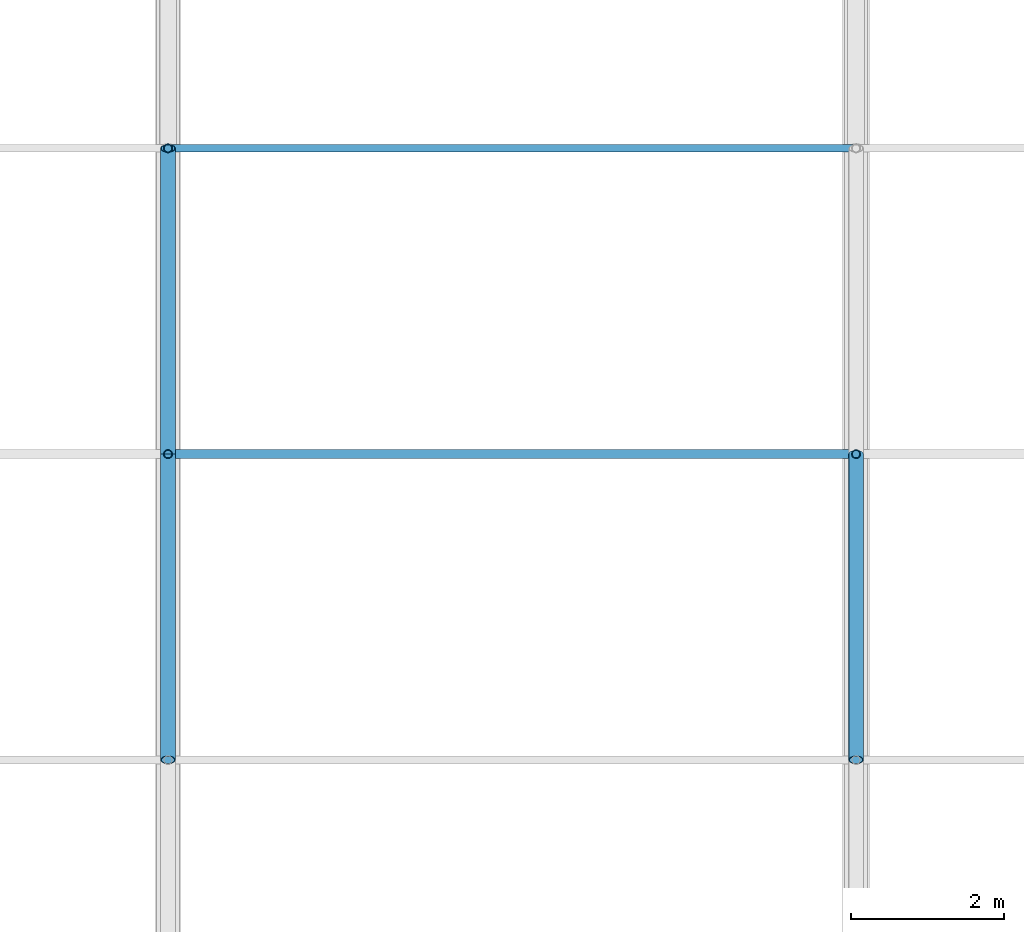
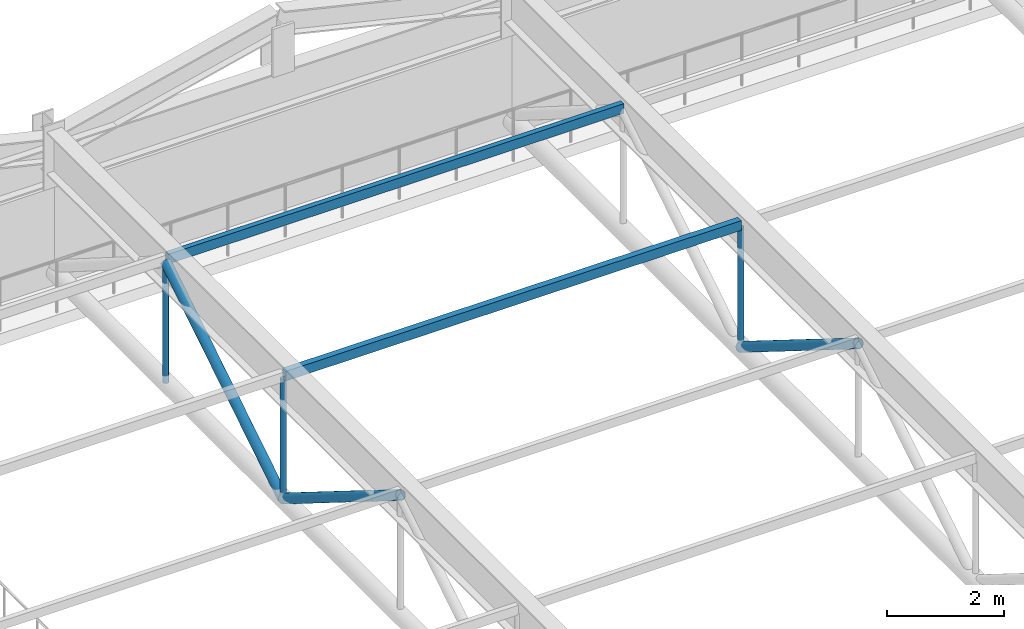
# One storey, part 35 of 91: 8 members.
"""IFC4 building model written with IfcOpenShell, lengths in metres."""

from ifc_helpers import new_model, si_unit, direction, frame, origin, origin_2d, place, context, subcontext, project, spatial, hollow_rectangle, hollow_circle, extrude, material, material_profile, profile_set, type_object, element, save


model = new_model("IFC4")

# Units and contexts
model_context = context("Model", 3, precision=1e-05, world=origin(), true_north=direction((0.0, 1.0)))
body_context = subcontext(model_context, "Body", "Model", "MODEL_VIEW")
ifc_project = project(units=[si_unit("LENGTHUNIT", "METRE"), si_unit("AREAUNIT", "SQUARE_METRE"), si_unit("VOLUMEUNIT", "CUBIC_METRE"), si_unit("PLANEANGLEUNIT", "RADIAN"), si_unit("MASSUNIT", "GRAM", prefix="KILO")], contexts=[model_context])

# Site, building, storey
site_placement = place(None, origin())
site = spatial("IfcSite", under=ifc_project, at=site_placement, CompositionType="ELEMENT")
building_placement = place(site_placement, origin())
building = spatial("IfcBuilding", under=site, at=building_placement, Name="Palais des Congres Ocreval", CompositionType="ELEMENT")
storey_placement = place(building_placement, frame((0.0, 0.0, 8.159912109375)))
storey = spatial("IfcBuildingStorey", under=building, at=storey_placement, Name="L02", CompositionType="ELEMENT", Elevation=8.159912109375)

# Members
ifc_material = material(Name="Steel S355", Category="steel")
ifc_material_profile_1 = material_profile(ifc_material, hollow_circle(Radius=0.096923828125, WallThickness=0.010009765625, at=origin_2d()), Name="CHS 193.7x10")
ifc_profile_set_1 = profile_set([ifc_material_profile_1], Name="Steel S355")
member_type_1 = type_object("IfcMemberType", Name="Diagonal Brace CHS 193.7x10 Steel S355", PredefinedType="BRACE", material=ifc_profile_set_1)
for number, where, z_axis, x_axis, name in (
    (1, (18.0, 102.0, 2.7900390625), (0.0, 0.847998304005, -0.529998940003), (-1.0, 0.0, 0.0), "ROOF TRUSS Diagonal V1-18-4"),
    (2, (18.0, 106.0, 0.2900390625), (0.0, 0.847998304005, 0.529998940003), (-1.0, 0.0, 0.0), "ROOF TRUSS Diagonal V1-18-5"),
    (3, (27.0, 102.0, 2.7900390625), (0.0, 0.847998304005, -0.529998940003), (-1.0, 0.0, 0.0), "ROOF TRUSS Diagonal V1-27-4"),
):
    element("IfcMember", number, at=place(storey_placement, frame(where, z_axis=z_axis, x_axis=x_axis)), inside=storey, type_object=member_type_1, Name=name, PredefinedType="BRACE", context=body_context, shape_type="SweptSolid", body=[
        extrude(hollow_circle(Radius=0.096923828125, WallThickness=0.010009765625, at=origin_2d()), origin(), (0.0, 0.0, 1.0), 4.717041015625),
    ])
ifc_material_profile_2 = material_profile(ifc_material, hollow_rectangle(XDim=0.10009765625, YDim=0.199951171875, WallThickness=0.010009765625, at=origin_2d()), Name="RHS 200x100x10")
ifc_profile_set_2 = profile_set([ifc_material_profile_2], Name="Steel S355")
member_type_2 = type_object("IfcMemberType", Name="Roof Purlin RHS 200x100x10 Steel S355", PredefinedType="PURLIN", material=ifc_profile_set_2)
member_1_placement = place(storey_placement, frame((18.02001953125, 110.0, 2.860107421875), z_axis=(1.0, 0.0, 0.0), x_axis=(0.0, 1.0, 0.0)))
element("IfcMember", 4, at=member_1_placement, inside=storey, type_object=member_type_2, Name="Roof Purlin PU02 V1", PredefinedType="PURLIN", context=body_context, shape_type="SweptSolid", body=[
    extrude(hollow_rectangle(XDim=0.10009765625, YDim=0.199951171875, WallThickness=0.010009765625, at=origin_2d()), origin(), (0.0, 0.0, 1.0), 8.9599609375),
])
ifc_material_profile_3 = material_profile(ifc_material, hollow_rectangle(XDim=0.1201171875, YDim=0.199951171875, WallThickness=0.010009765625, at=origin_2d()), Name="RHS 200x120x10")
ifc_profile_set_3 = profile_set([ifc_material_profile_3], Name="Steel S355")
member_type_3 = type_object("IfcMemberType", Name="Roof Purlin RHS 200x120x10 Steel S355", PredefinedType="PURLIN", material=ifc_profile_set_3)
member_2_placement = place(storey_placement, frame((18.02001953125, 106.0, 2.860107421875), z_axis=(1.0, 0.0, 0.0), x_axis=(0.0, 1.0, 0.0)))
element("IfcMember", 5, at=member_2_placement, inside=storey, type_object=member_type_3, Name="Roof Purlin PU01 V1", PredefinedType="PURLIN", context=body_context, shape_type="SweptSolid", body=[
    extrude(hollow_rectangle(XDim=0.1201171875, YDim=0.199951171875, WallThickness=0.010009765625, at=origin_2d()), origin(), (0.0, 0.0, 1.0), 8.9599609375),
])
ifc_material_profile_4 = material_profile(ifc_material, hollow_circle(Radius=0.05712890625, WallThickness=0.00634765625, at=origin_2d()), Name="CHS 114.3x6.3")
ifc_profile_set_4 = profile_set([ifc_material_profile_4], Name="Steel S355")
member_type_4 = type_object("IfcMemberType", Name="Truss Strut CHS 114.3x6.3 Steel S355", PredefinedType="STRUT", material=ifc_profile_set_4)
for number, where, z_axis, x_axis, name in (
    (6, (18.0, 106.0, 0.2900390625), (0.0, 0.0, 1.0), (1.0, 0.0, 0.0), "ROOF TRUSS Vertical Strut V1-18-4"),
    (7, (18.0, 110.0, 0.2900390625), (0.0, 0.0, 1.0), (1.0, 0.0, 0.0), "ROOF TRUSS Vertical Strut V1-18-5"),
    (8, (27.0, 106.0, 0.2900390625), (0.0, 0.0, 1.0), (1.0, 0.0, 0.0), "ROOF TRUSS Vertical Strut V1-27-4"),
):
    element("IfcMember", number, at=place(storey_placement, frame(where, z_axis=z_axis, x_axis=x_axis)), inside=storey, type_object=member_type_4, Name=name, PredefinedType="STRUT", context=body_context, shape_type="SweptSolid", body=[
        extrude(hollow_circle(Radius=0.05712890625, WallThickness=0.00634765625, at=origin_2d()), origin(), (0.0, 0.0, 1.0), 2.5),
    ])

save(model, "model.ifc")
